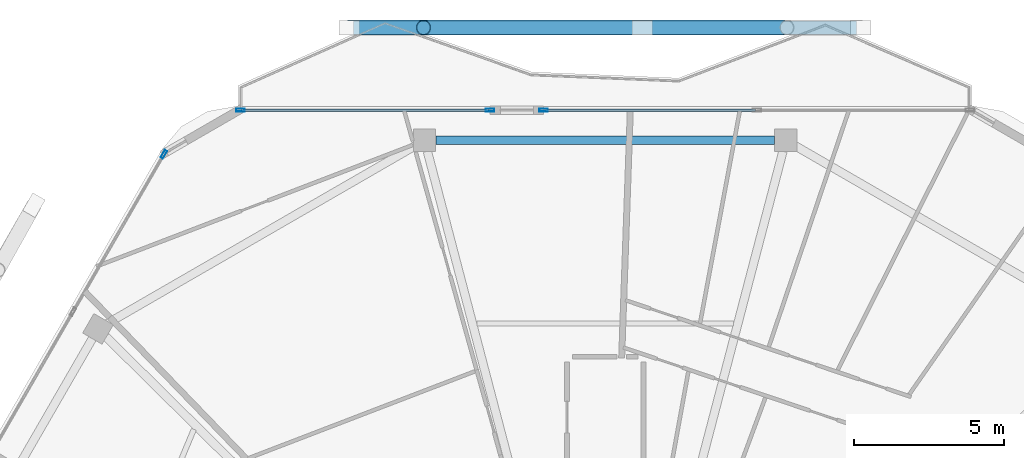
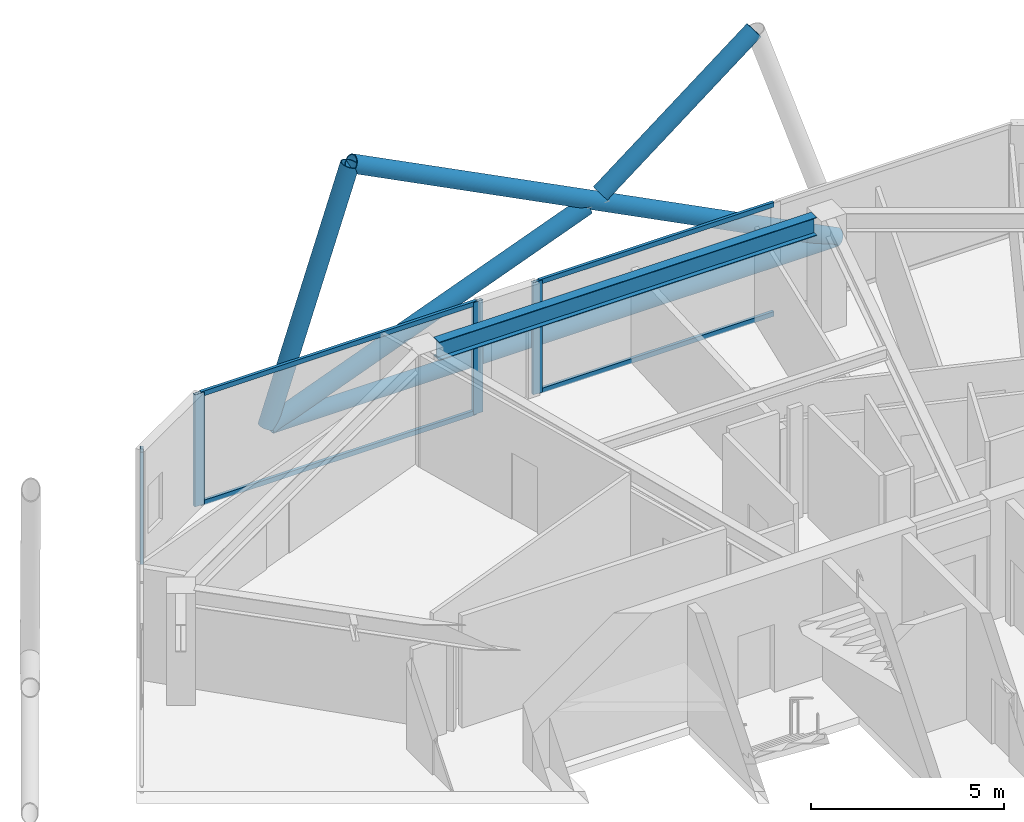
# One storey, part 11 of 23: 13 members, 1 beam, 3 elements without a shape of their own.
"""IFC4 building model written with IfcOpenShell, lengths in metres."""

from ifc_helpers import new_model, si_unit, direction, frame, origin, origin_2d, place, context, subcontext, project, spatial, hollow_rectangle, hollow_circle, i_section, extrude, material, material_profile, profile_set, type_object, element, aggregate, save


model = new_model("IFC4")

# Units and contexts
model_context = context("Model", 3, precision=1e-05, world=origin(), true_north=direction((0.0, 1.0)))
body_context = subcontext(model_context, "Body", "Model", "MODEL_VIEW")
ifc_project = project(units=[si_unit("LENGTHUNIT", "METRE"), si_unit("AREAUNIT", "SQUARE_METRE"), si_unit("VOLUMEUNIT", "CUBIC_METRE"), si_unit("PLANEANGLEUNIT", "RADIAN"), si_unit("MASSUNIT", "GRAM", prefix="KILO")], contexts=[model_context])

# Site, building, storey
site_placement = place(None, origin())
site = spatial("IfcSite", under=ifc_project, at=site_placement, CompositionType="ELEMENT")
building_placement = place(site_placement, origin())
building = spatial("IfcBuilding", under=site, at=building_placement, Name="Zuhravey Tower", CompositionType="ELEMENT")
storey_placement = place(building_placement, frame((0.0, 0.0, 346.199951171875)))
storey = spatial("IfcBuildingStorey", under=building, at=storey_placement, Name="L88", CompositionType="ELEMENT", Elevation=346.199951171875)

# Curtain wall, member
ifc_material_1 = material(Name="Thermally broken anodised aluminium", Category="aluminium")
curtain_wall_type = type_object("IfcCurtainWallType", Name="Zone 3-4 High-Rise Curtain Wall CW4", PredefinedType="NOTDEFINED", material=ifc_material_1)
curtain_wall_1_placement = place(storey_placement, origin())
curtain_wall_1 = element("IfcCurtainWall", 1, at=curtain_wall_1_placement, inside=storey, type_object=curtain_wall_type, Name="L88 CW4 CW-L88-F3-1", PredefinedType="NOTDEFINED")
ifc_material_2 = material(Name="Anodised aluminium", Category="aluminium")
ifc_material_profile_1 = material_profile(ifc_material_2, hollow_rectangle(XDim=0.090087890625, YDim=0.284912109375, WallThickness=0.0048828125, at=origin_2d()), Name="ALU-RHS-90x285x5")
ifc_profile_set_1 = profile_set([ifc_material_profile_1], Name="Anodised aluminium")
member_type_1 = type_object("IfcMemberType", Name="Curtain-Wall Mullion 90x180", PredefinedType="MULLION", material=ifc_profile_set_1)
member_1_placement = place(storey_placement, frame((21.248291015625, 54.59765625, 0.0), z_axis=(0.0, 0.0, 1.0), x_axis=(-0.866025511541, 0.49999981336, 0.0)))
member_1 = element("IfcMember", 2, at=member_1_placement, type_object=member_type_1, Name="CW4 mullion 5", PredefinedType="MULLION", context=body_context, shape_type="SweptSolid", body=[
    extrude(hollow_rectangle(XDim=0.090087890625, YDim=0.284912109375, WallThickness=0.0048828125, at=origin_2d()), origin(), (0.0, 0.0, 1.0), 3.550048828125),
])
aggregate(curtain_wall_1, [member_1])

# Curtain wall, members
curtain_wall_2_placement = place(storey_placement, origin())
curtain_wall_2 = element("IfcCurtainWall", 3, at=curtain_wall_2_placement, inside=storey, type_object=curtain_wall_type, Name="L88 CW4 CW-L88-F2-1", PredefinedType="NOTDEFINED")
member_2_placement = place(storey_placement, frame((23.8056640625, 56.07421875, 0.0), z_axis=(0.0, 0.0, 1.0), x_axis=(0.0, 1.0, 0.0)))
member_2 = element("IfcMember", 4, at=member_2_placement, type_object=member_type_1, Name="CW4 mullion 1", PredefinedType="MULLION", context=body_context, shape_type="SweptSolid", body=[
    extrude(hollow_rectangle(XDim=0.090087890625, YDim=0.284912109375, WallThickness=0.0048828125, at=origin_2d()), origin(), (0.0, 0.0, 1.0), 3.550048828125),
])
member_3_placement = place(storey_placement, frame((32.15283203125, 56.07421875, 0.0), z_axis=(0.0, 0.0, 1.0), x_axis=(0.0, 1.0, 0.0)))
member_3 = element("IfcMember", 5, at=member_3_placement, type_object=member_type_1, Name="CW4 mullion 2", PredefinedType="MULLION", context=body_context, shape_type="SweptSolid", body=[
    extrude(hollow_rectangle(XDim=0.090087890625, YDim=0.284912109375, WallThickness=0.0048828125, at=origin_2d()), origin(), (0.0, 0.0, 1.0), 3.550048828125),
])

# Curtain wall, member
curtain_wall_3_placement = place(storey_placement, origin())
curtain_wall_3 = element("IfcCurtainWall", 6, at=curtain_wall_3_placement, inside=storey, type_object=curtain_wall_type, Name="L88 CW4 CW-L88-F2-2", PredefinedType="NOTDEFINED")
member_4_placement = place(storey_placement, frame((33.94287109375, 56.07421875, 0.0), z_axis=(0.0, 0.0, 1.0), x_axis=(0.0, 1.0, 0.0)))
member_4 = element("IfcMember", 7, at=member_4_placement, type_object=member_type_1, Name="CW4 mullion 1", PredefinedType="MULLION", context=body_context, shape_type="SweptSolid", body=[
    extrude(hollow_rectangle(XDim=0.090087890625, YDim=0.284912109375, WallThickness=0.0048828125, at=origin_2d()), origin(), (0.0, 0.0, 1.0), 3.550048828125),
])

# Member
ifc_material_profile_2 = material_profile(ifc_material_2, hollow_rectangle(XDim=0.090087890625, YDim=0.14990234375, WallThickness=0.0048828125, at=origin_2d()), Name="ALU-RHS-90x150x5")
ifc_profile_set_2 = profile_set([ifc_material_profile_2], Name="Anodised aluminium")
member_type_2 = type_object("IfcMemberType", Name="Curtain-Wall Transom 90x150", PredefinedType="USERDEFINED", material=ifc_profile_set_2)
member_5_placement = place(storey_placement, frame((23.8505859375, 56.07421875, 0.045166015625), z_axis=(1.0, 0.0, 0.0), x_axis=(0.0, 1.0, 0.0)))
member_5 = element("IfcMember", 8, at=member_5_placement, type_object=member_type_2, Name="CW4 transom 1.1", ObjectType="TRANSOM", PredefinedType="USERDEFINED", context=body_context, shape_type="SweptSolid", body=[
    extrude(hollow_rectangle(XDim=0.090087890625, YDim=0.14990234375, WallThickness=0.0048828125, at=origin_2d()), origin(), (0.0, 0.0, 1.0), 8.25732421875),
])

member_6_placement = place(storey_placement, frame((23.8505859375, 56.07421875, 3.505126953125), z_axis=(1.0, 0.0, 0.0), x_axis=(0.0, 1.0, 0.0)))
member_6 = element("IfcMember", 9, at=member_6_placement, type_object=member_type_2, Name="CW4 transom 1.2", ObjectType="TRANSOM", PredefinedType="USERDEFINED", context=body_context, shape_type="SweptSolid", body=[
    extrude(hollow_rectangle(XDim=0.090087890625, YDim=0.14990234375, WallThickness=0.0048828125, at=origin_2d()), origin(), (0.0, 0.0, 1.0), 8.25732421875),
])

aggregate(curtain_wall_2, [member_2, member_3, member_5, member_6])

member_7_placement = place(storey_placement, frame((33.98779296875, 56.07421875, 0.045166015625), z_axis=(1.0, 0.0, 0.0), x_axis=(0.0, 1.0, 0.0)))
member_7 = element("IfcMember", 10, at=member_7_placement, type_object=member_type_2, Name="CW4 transom 1.1", ObjectType="TRANSOM", PredefinedType="USERDEFINED", context=body_context, shape_type="SweptSolid", body=[
    extrude(hollow_rectangle(XDim=0.090087890625, YDim=0.14990234375, WallThickness=0.0048828125, at=origin_2d()), origin(), (0.0, 0.0, 1.0), 7.03564453125),
])

member_8_placement = place(storey_placement, frame((33.98779296875, 56.07421875, 3.505126953125), z_axis=(1.0, 0.0, 0.0), x_axis=(0.0, 1.0, 0.0)))
member_8 = element("IfcMember", 11, at=member_8_placement, type_object=member_type_2, Name="CW4 transom 1.2", ObjectType="TRANSOM", PredefinedType="USERDEFINED", context=body_context, shape_type="SweptSolid", body=[
    extrude(hollow_rectangle(XDim=0.090087890625, YDim=0.14990234375, WallThickness=0.0048828125, at=origin_2d()), origin(), (0.0, 0.0, 1.0), 7.03564453125),
])

aggregate(curtain_wall_3, [member_4, member_7, member_8])

# Members
ifc_material_3 = material(Name="Steel SM355", Category="steel")
ifc_material_profile_3 = material_profile(ifc_material_3, hollow_circle(Radius=0.228515625, WallThickness=0.02197265625, at=origin_2d()), Name="CHS-457.2x22")
ifc_profile_set_3 = profile_set([ifc_material_profile_3], Name="Steel SM355")
member_type_3 = type_object("IfcMemberType", Name="Exoskeleton Ring Tie CHS457x22", PredefinedType="CHORD", material=ifc_profile_set_3)
member_9_placement = place(storey_placement, frame((44.409423828125, 58.833984375, -0.4638671875), z_axis=(-1.0, 0.0, 0.0), x_axis=(0.0, -1.0, 0.0)))
element("IfcMember", 12, at=member_9_placement, inside=storey, type_object=member_type_3, Name="L88 Exoskeleton Face 2 Tie EXR1", PredefinedType="CHORD", context=body_context, shape_type="SweptSolid", body=[
    extrude(hollow_circle(Radius=0.228515625, WallThickness=0.02197265625, at=origin_2d()), origin(), (0.0, 0.0, 1.0), 16.81884765625),
])
ifc_material_profile_4 = material_profile(ifc_material_3, hollow_circle(Radius=0.25390625, WallThickness=0.02490234375, at=origin_2d()), Name="CHS-508.0x25")
ifc_profile_set_4 = profile_set([ifc_material_profile_4], Name="Steel SM355")
member_type_4 = type_object("IfcMemberType", Name="Exoskeleton Zone 4 Diagrid CHS508x25", PredefinedType="BRACE", material=ifc_profile_set_4)
member_10_placement = place(storey_placement, frame((44.51806640625, 58.833984375, -0.447998046875), z_axis=(-0.890576168157, 0.0, 0.454834133185), x_axis=(0.0, -1.0, 0.0)))
element("IfcMember", 13, at=member_10_placement, inside=storey, type_object=member_type_4, Name="L88 Face 2 Diagrid Brace 2", PredefinedType="BRACE", context=body_context, shape_type="SweptSolid", body=[
    extrude(hollow_circle(Radius=0.25390625, WallThickness=0.02490234375, at=origin_2d()), origin(), (0.0, 0.0, 1.0), 16.342529296875),
])
member_11_placement = place(storey_placement, frame((27.455810546875, 58.833984375, -0.447998046875), z_axis=(0.315507707743, 0.0, 0.948923013924), x_axis=(0.0, 1.0, 0.0)))
element("IfcMember", 14, at=member_11_placement, inside=storey, type_object=member_type_4, Name="L88 Face 2 Diagrid Brace 4", PredefinedType="BRACE", context=body_context, shape_type="SweptSolid", body=[
    extrude(hollow_circle(Radius=0.25390625, WallThickness=0.02490234375, at=origin_2d()), origin(), (0.0, 0.0, 1.0), 7.833251953125),
])
member_12_placement = place(storey_placement, frame((27.4833984375, 58.833984375, -0.451416015625), z_axis=(0.934400866235, 0.0, 0.356223274336), x_axis=(0.0, 1.0, 0.0)))
element("IfcMember", 15, at=member_12_placement, inside=storey, type_object=member_type_4, Name="L88 Face 2 Split Diagrid Brace 3A", PredefinedType="BRACE", context=body_context, shape_type="SweptSolid", body=[
    extrude(hollow_circle(Radius=0.25390625, WallThickness=0.02490234375, at=origin_2d()), origin(), (0.0, 0.0, 1.0), 10.19873046875),
])
member_13_placement = place(storey_placement, frame((37.43408203125, 58.833984375, 3.417724609375), z_axis=(0.791035937919, 0.0, 0.611769682904), x_axis=(0.0, 1.0, 0.0)))
element("IfcMember", 16, at=member_13_placement, inside=storey, type_object=member_type_4, Name="L88 Face 2 Split Diagrid Brace 3B", PredefinedType="BRACE", context=body_context, shape_type="SweptSolid", body=[
    extrude(hollow_circle(Radius=0.25390625, WallThickness=0.02490234375, at=origin_2d()), origin(), (0.0, 0.0, 1.0), 5.822021484375),
])

# Beam
ifc_material_profile_5 = material_profile(ifc_material_3, i_section(OverallWidth=0.280029296875, OverallDepth=0.580078125, WebThickness=0.011962890625, FlangeThickness=0.01904296875, at=origin_2d()), Name="H-580x280x12x19")
ifc_profile_set_5 = profile_set([ifc_material_profile_5], Name="Steel SM355")
beam_type = type_object("IfcBeamType", Name="Perimeter Ring Beam H580x280", PredefinedType="BEAM", material=ifc_profile_set_5)
beam_placement = place(storey_placement, frame((41.66064453125, 55.064208984375, 3.260009765625), z_axis=(-1.0, 0.0, 0.0), x_axis=(0.0, -1.0, 0.0)))
element("IfcBeam", 17, at=beam_placement, inside=storey, type_object=beam_type, Name="L88 PB4 BM-L88-PB-03", PredefinedType="BEAM", context=body_context, shape_type="SweptSolid", body=[
    extrude(i_section(OverallWidth=0.280029296875, OverallDepth=0.580078125, WebThickness=0.011962890625, FlangeThickness=0.01904296875, at=origin_2d()), origin(), (0.0, 0.0, 1.0), 11.3212890625),
])

save(model, "model.ifc")
